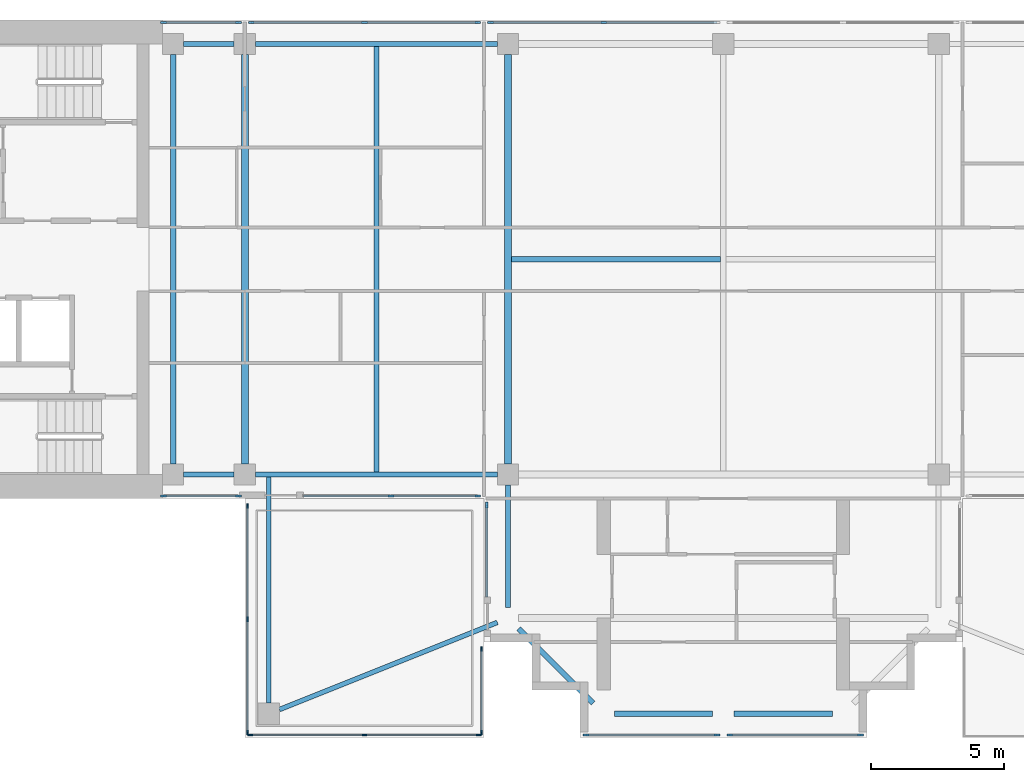
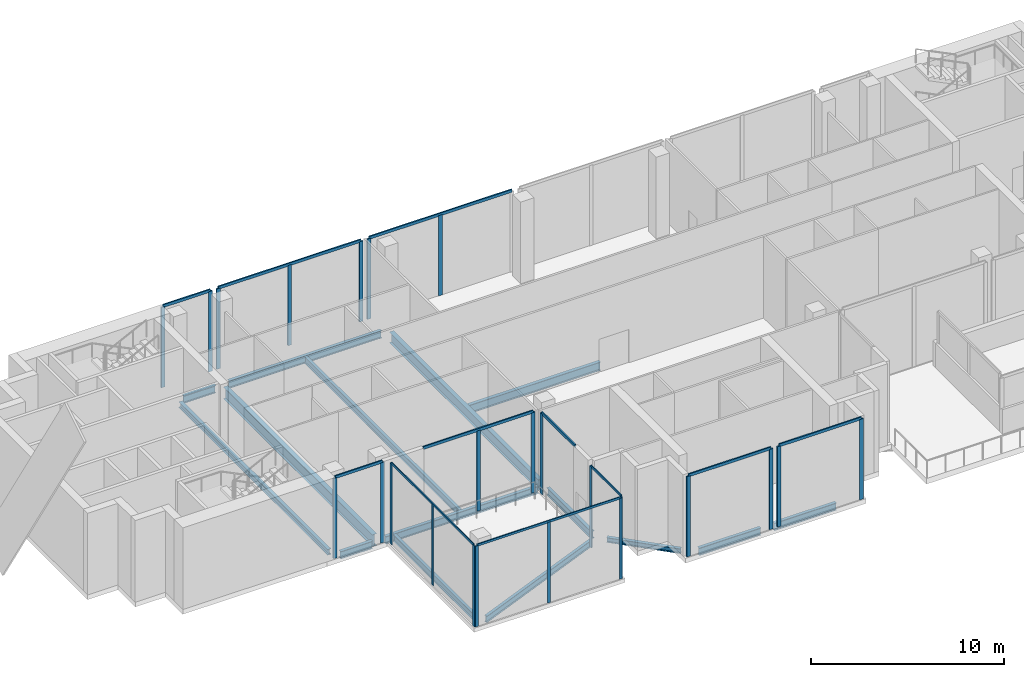
# One storey, part 2 of 14: 35 members, 15 beams, 11 elements without a shape of their own.
"""IFC4 building model written with IfcOpenShell, lengths in metres."""

from ifc_helpers import new_model, si_unit, direction, frame, origin, origin_2d, place, context, subcontext, project, spatial, rectangle, i_section, extrude, material, material_profile, profile_set, type_object, element, aggregate, save


model = new_model("IFC4")

# Units and contexts
model_context = context("Model", 3, precision=1e-05, world=origin(), true_north=direction((0.0, 1.0)))
body_context = subcontext(model_context, "Body", "Model", "MODEL_VIEW")
ifc_project = project(units=[si_unit("LENGTHUNIT", "METRE"), si_unit("AREAUNIT", "SQUARE_METRE"), si_unit("VOLUMEUNIT", "CUBIC_METRE"), si_unit("PLANEANGLEUNIT", "RADIAN"), si_unit("MASSUNIT", "GRAM", prefix="KILO")], contexts=[model_context])

# Site, building, storey
site_placement = place(None, origin())
site = spatial("IfcSite", under=ifc_project, at=site_placement, CompositionType="ELEMENT")
building_placement = place(site_placement, origin())
building = spatial("IfcBuilding", under=site, at=building_placement, Name="Perihelion Cross Residences", CompositionType="ELEMENT")
storey_placement = place(building_placement, frame((0.0, 0.0, 285.0)))
storey = spatial("IfcBuildingStorey", under=building, at=storey_placement, Name="L73", CompositionType="ELEMENT", Elevation=285.0)

# Curtain wall, members
ifc_material_1 = material(Name="Bronze anodised aluminium, tinted glazing", Category="aluminium")
curtain_wall_type_1 = type_object("IfcCurtainWallType", Name="CW3", PredefinedType="NOTDEFINED", material=ifc_material_1)
curtain_wall_1_placement = place(storey_placement, origin())
curtain_wall_1 = element("IfcCurtainWall", 1, at=curtain_wall_1_placement, inside=storey, type_object=curtain_wall_type_1, Name="Curtain wall CW3 L73 north side east bay 2", PredefinedType="NOTDEFINED")
ifc_material_2 = material(Name="Bronze anodised aluminium", Category="aluminium")
ifc_material_profile_1 = material_profile(ifc_material_2, rectangle(XDim=0.080078125, YDim=0.219970703125, at=origin_2d()), Name="CW3 mullion")
ifc_profile_set_1 = profile_set([ifc_material_profile_1], Name="Bronze anodised aluminium")
member_type_1 = type_object("IfcMemberType", Name="CW3 mullion", PredefinedType="MULLION", material=ifc_profile_set_1)
member_1_placement = place(storey_placement, frame((-4.5, 8.89990234375, 0.0), z_axis=(0.0, 0.0, 1.0), x_axis=(0.0, -1.0, 0.0)))
member_1 = element("IfcMember", 2, at=member_1_placement, type_object=member_type_1, Name="CW3 mullion 2", PredefinedType="MULLION", context=body_context, shape_type="SweptSolid", body=[
    extrude(rectangle(XDim=0.080078125, YDim=0.219970703125, at=origin_2d()), origin(), (0.0, 0.0, 1.0), 5.070068359375),
])
member_2_placement = place(storey_placement, frame((-8.760009765625, 8.89990234375, 0.0), z_axis=(0.0, 0.0, 1.0), x_axis=(0.0, -1.0, 0.0)))
member_2 = element("IfcMember", 3, at=member_2_placement, type_object=member_type_1, Name="CW3 mullion 3", PredefinedType="MULLION", context=body_context, shape_type="SweptSolid", body=[
    extrude(rectangle(XDim=0.080078125, YDim=0.219970703125, at=origin_2d()), origin(), (0.0, 0.0, 1.0), 5.070068359375),
])

curtain_wall_2_placement = place(storey_placement, origin())
curtain_wall_2 = element("IfcCurtainWall", 4, at=curtain_wall_2_placement, inside=storey, type_object=curtain_wall_type_1, Name="Curtain wall CW3 L73 west side north bay 1", PredefinedType="NOTDEFINED")
member_3_placement = place(storey_placement, frame((-9.239990234375, 8.89990234375, 0.0), z_axis=(0.0, 0.0, 1.0), x_axis=(0.0, -1.0, 0.0)))
member_3 = element("IfcMember", 5, at=member_3_placement, type_object=member_type_1, Name="CW3 mullion 1", PredefinedType="MULLION", context=body_context, shape_type="SweptSolid", body=[
    extrude(rectangle(XDim=0.080078125, YDim=0.219970703125, at=origin_2d()), origin(), (0.0, 0.0, 1.0), 5.070068359375),
])
member_4_placement = place(storey_placement, frame((-13.5, 8.89990234375, 0.0), z_axis=(0.0, 0.0, 1.0), x_axis=(0.0, -1.0, 0.0)))
member_4 = element("IfcMember", 6, at=member_4_placement, type_object=member_type_1, Name="CW3 mullion 2", PredefinedType="MULLION", context=body_context, shape_type="SweptSolid", body=[
    extrude(rectangle(XDim=0.080078125, YDim=0.219970703125, at=origin_2d()), origin(), (0.0, 0.0, 1.0), 5.070068359375),
])
member_5_placement = place(storey_placement, frame((-17.760009765625, 8.89990234375, 0.0), z_axis=(0.0, 0.0, 1.0), x_axis=(0.0, -1.0, 0.0)))
member_5 = element("IfcMember", 7, at=member_5_placement, type_object=member_type_1, Name="CW3 mullion 3", PredefinedType="MULLION", context=body_context, shape_type="SweptSolid", body=[
    extrude(rectangle(XDim=0.080078125, YDim=0.219970703125, at=origin_2d()), origin(), (0.0, 0.0, 1.0), 5.070068359375),
])

curtain_wall_3_placement = place(storey_placement, origin())
curtain_wall_3 = element("IfcCurtainWall", 8, at=curtain_wall_3_placement, inside=storey, type_object=curtain_wall_type_1, Name="Curtain wall CW3 L73 west side north bay 2", PredefinedType="NOTDEFINED")
member_6_placement = place(storey_placement, frame((-18.239990234375, 8.89990234375, 0.0), z_axis=(0.0, 0.0, 1.0), x_axis=(0.0, -1.0, 0.0)))
member_6 = element("IfcMember", 9, at=member_6_placement, type_object=member_type_1, Name="CW3 mullion 1", PredefinedType="MULLION", context=body_context, shape_type="SweptSolid", body=[
    extrude(rectangle(XDim=0.080078125, YDim=0.219970703125, at=origin_2d()), origin(), (0.0, 0.0, 1.0), 5.070068359375),
])
member_7_placement = place(storey_placement, frame((-21.06005859375, 8.89990234375, 0.0), z_axis=(0.0, 0.0, 1.0), x_axis=(0.0, -1.0, 0.0)))
member_7 = element("IfcMember", 10, at=member_7_placement, type_object=member_type_1, Name="CW3 mullion 2", PredefinedType="MULLION", context=body_context, shape_type="SweptSolid", body=[
    extrude(rectangle(XDim=0.080078125, YDim=0.219970703125, at=origin_2d()), origin(), (0.0, 0.0, 1.0), 5.070068359375),
])

curtain_wall_4_placement = place(storey_placement, origin())
curtain_wall_4 = element("IfcCurtainWall", 11, at=curtain_wall_4_placement, inside=storey, type_object=curtain_wall_type_1, Name="Curtain wall CW3 L73 west side south bay 1", PredefinedType="NOTDEFINED")
member_8_placement = place(storey_placement, frame((-21.06005859375, -8.89990234375, 0.0), z_axis=(0.0, 0.0, 1.0), x_axis=(0.0, 1.0, 0.0)))
member_8 = element("IfcMember", 12, at=member_8_placement, type_object=member_type_1, Name="CW3 mullion 1", PredefinedType="MULLION", context=body_context, shape_type="SweptSolid", body=[
    extrude(rectangle(XDim=0.080078125, YDim=0.219970703125, at=origin_2d()), origin(), (0.0, 0.0, 1.0), 5.070068359375),
])
member_9_placement = place(storey_placement, frame((-18.239990234375, -8.89990234375, 0.0), z_axis=(0.0, 0.0, 1.0), x_axis=(0.0, 1.0, 0.0)))
member_9 = element("IfcMember", 13, at=member_9_placement, type_object=member_type_1, Name="CW3 mullion 2", PredefinedType="MULLION", context=body_context, shape_type="SweptSolid", body=[
    extrude(rectangle(XDim=0.080078125, YDim=0.219970703125, at=origin_2d()), origin(), (0.0, 0.0, 1.0), 5.070068359375),
])

curtain_wall_5_placement = place(storey_placement, origin())
curtain_wall_5 = element("IfcCurtainWall", 14, at=curtain_wall_5_placement, inside=storey, type_object=curtain_wall_type_1, Name="Curtain wall CW3 L73 west side south bay 2", PredefinedType="NOTDEFINED")
member_10_placement = place(storey_placement, frame((-12.5, -8.89990234375, 0.0), z_axis=(0.0, 0.0, 1.0), x_axis=(0.0, 1.0, 0.0)))
member_10 = element("IfcMember", 15, at=member_10_placement, type_object=member_type_1, Name="CW3 mullion 2", PredefinedType="MULLION", context=body_context, shape_type="SweptSolid", body=[
    extrude(rectangle(XDim=0.080078125, YDim=0.219970703125, at=origin_2d()), origin(), (0.0, 0.0, 1.0), 5.070068359375),
])
member_11_placement = place(storey_placement, frame((-9.239990234375, -8.89990234375, 0.0), z_axis=(0.0, 0.0, 1.0), x_axis=(0.0, 1.0, 0.0)))
member_11 = element("IfcMember", 16, at=member_11_placement, type_object=member_type_1, Name="CW3 mullion 3", PredefinedType="MULLION", context=body_context, shape_type="SweptSolid", body=[
    extrude(rectangle(XDim=0.080078125, YDim=0.219970703125, at=origin_2d()), origin(), (0.0, 0.0, 1.0), 5.070068359375),
])

# Curtain wall, member
curtain_wall_6_placement = place(storey_placement, origin())
curtain_wall_6 = element("IfcCurtainWall", 17, at=curtain_wall_6_placement, inside=storey, type_object=curtain_wall_type_1, Name="Curtain wall CW3 L73 south side west bay 1", PredefinedType="NOTDEFINED")
member_12_placement = place(storey_placement, frame((-8.89990234375, -9.239990234375, 0.0), z_axis=(0.0, 0.0, 1.0), x_axis=(1.0, 0.0, 0.0)))
member_12 = element("IfcMember", 18, at=member_12_placement, type_object=member_type_1, Name="CW3 mullion 1", PredefinedType="MULLION", context=body_context, shape_type="SweptSolid", body=[
    extrude(rectangle(XDim=0.080078125, YDim=0.219970703125, at=origin_2d()), origin(), (0.0, 0.0, 1.0), 5.070068359375),
])

# Curtain wall, members
curtain_wall_7_placement = place(storey_placement, origin())
curtain_wall_7 = element("IfcCurtainWall", 19, at=curtain_wall_7_placement, inside=storey, type_object=curtain_wall_type_1, Name="Curtain wall CW3 L73 south tip south bay 1", PredefinedType="NOTDEFINED")
member_13_placement = place(storey_placement, frame((-5.159912109375, -17.89990234375, 0.0), z_axis=(0.0, 0.0, 1.0), x_axis=(0.0, 1.0, 0.0)))
member_13 = element("IfcMember", 20, at=member_13_placement, type_object=member_type_1, Name="CW3 mullion 1", PredefinedType="MULLION", context=body_context, shape_type="SweptSolid", body=[
    extrude(rectangle(XDim=0.080078125, YDim=0.219970703125, at=origin_2d()), origin(), (0.0, 0.0, 1.0), 5.070068359375),
])
member_14_placement = place(storey_placement, frame((-0.239990234375, -17.89990234375, 0.0), z_axis=(0.0, 0.0, 1.0), x_axis=(0.0, 1.0, 0.0)))
member_14 = element("IfcMember", 21, at=member_14_placement, type_object=member_type_1, Name="CW3 mullion 2", PredefinedType="MULLION", context=body_context, shape_type="SweptSolid", body=[
    extrude(rectangle(XDim=0.080078125, YDim=0.219970703125, at=origin_2d()), origin(), (0.0, 0.0, 1.0), 5.070068359375),
])

curtain_wall_8_placement = place(storey_placement, origin())
curtain_wall_8 = element("IfcCurtainWall", 22, at=curtain_wall_8_placement, inside=storey, type_object=curtain_wall_type_1, Name="Curtain wall CW3 L73 south tip south bay 2", PredefinedType="NOTDEFINED")
member_15_placement = place(storey_placement, frame((0.239990234375, -17.89990234375, 0.0), z_axis=(0.0, 0.0, 1.0), x_axis=(0.0, 1.0, 0.0)))
member_15 = element("IfcMember", 23, at=member_15_placement, type_object=member_type_1, Name="CW3 mullion 1", PredefinedType="MULLION", context=body_context, shape_type="SweptSolid", body=[
    extrude(rectangle(XDim=0.080078125, YDim=0.219970703125, at=origin_2d()), origin(), (0.0, 0.0, 1.0), 5.070068359375),
])
member_16_placement = place(storey_placement, frame((5.159912109375, -17.89990234375, 0.0), z_axis=(0.0, 0.0, 1.0), x_axis=(0.0, 1.0, 0.0)))
member_16 = element("IfcMember", 24, at=member_16_placement, type_object=member_type_1, Name="CW3 mullion 2", PredefinedType="MULLION", context=body_context, shape_type="SweptSolid", body=[
    extrude(rectangle(XDim=0.080078125, YDim=0.219970703125, at=origin_2d()), origin(), (0.0, 0.0, 1.0), 5.070068359375),
])

# Member
ifc_material_3 = material(Name="Bronze anodised aluminium", Category="aluminium")
ifc_material_profile_2 = material_profile(ifc_material_3, rectangle(XDim=0.080078125, YDim=0.179931640625, at=origin_2d()), Name="CW3 transom")
ifc_profile_set_2 = profile_set([ifc_material_profile_2], Name="Bronze anodised aluminium")
member_type_2 = type_object("IfcMemberType", Name="CW3 transom", PredefinedType="USERDEFINED", material=ifc_profile_set_2)
member_17_placement = place(storey_placement, frame((-0.239990234375, 8.89990234375, 5.110107421875), z_axis=(-1.0, 0.0, 0.0), x_axis=(0.0, -1.0, 0.0)))
member_17 = element("IfcMember", 25, at=member_17_placement, type_object=member_type_2, Name="CW3 head transom", ObjectType="TRANSOM", PredefinedType="USERDEFINED", context=body_context, shape_type="SweptSolid", body=[
    extrude(rectangle(XDim=0.080078125, YDim=0.179931640625, at=origin_2d()), origin(), (0.0, 0.0, 1.0), 8.52001953125),
])

aggregate(curtain_wall_1, [member_1, member_2, member_17])

member_18_placement = place(storey_placement, frame((-9.239990234375, 8.89990234375, 5.110107421875), z_axis=(-1.0, 0.0, 0.0), x_axis=(0.0, -1.0, 0.0)))
member_18 = element("IfcMember", 26, at=member_18_placement, type_object=member_type_2, Name="CW3 head transom", ObjectType="TRANSOM", PredefinedType="USERDEFINED", context=body_context, shape_type="SweptSolid", body=[
    extrude(rectangle(XDim=0.080078125, YDim=0.179931640625, at=origin_2d()), origin(), (0.0, 0.0, 1.0), 8.52001953125),
])

aggregate(curtain_wall_2, [member_3, member_4, member_5, member_18])

member_19_placement = place(storey_placement, frame((-18.239990234375, 8.89990234375, 5.110107421875), z_axis=(-1.0, 0.0, 0.0), x_axis=(0.0, -1.0, 0.0)))
member_19 = element("IfcMember", 27, at=member_19_placement, type_object=member_type_2, Name="CW3 head transom", ObjectType="TRANSOM", PredefinedType="USERDEFINED", context=body_context, shape_type="SweptSolid", body=[
    extrude(rectangle(XDim=0.080078125, YDim=0.179931640625, at=origin_2d()), origin(), (0.0, 0.0, 1.0), 2.820068359375),
])

aggregate(curtain_wall_3, [member_6, member_7, member_19])

member_20_placement = place(storey_placement, frame((-21.06005859375, -8.89990234375, 5.110107421875), z_axis=(1.0, 0.0, 0.0), x_axis=(0.0, 1.0, 0.0)))
member_20 = element("IfcMember", 28, at=member_20_placement, type_object=member_type_2, Name="CW3 head transom", ObjectType="TRANSOM", PredefinedType="USERDEFINED", context=body_context, shape_type="SweptSolid", body=[
    extrude(rectangle(XDim=0.080078125, YDim=0.179931640625, at=origin_2d()), origin(), (0.0, 0.0, 1.0), 2.820068359375),
])

aggregate(curtain_wall_4, [member_8, member_9, member_20])

member_21_placement = place(storey_placement, frame((-15.800048828125, -8.89990234375, 5.110107421875), z_axis=(1.0, 0.0, 0.0), x_axis=(0.0, 1.0, 0.0)))
member_21 = element("IfcMember", 29, at=member_21_placement, type_object=member_type_2, Name="CW3 head transom", ObjectType="TRANSOM", PredefinedType="USERDEFINED", context=body_context, shape_type="SweptSolid", body=[
    extrude(rectangle(XDim=0.080078125, YDim=0.179931640625, at=origin_2d()), origin(), (0.0, 0.0, 1.0), 6.56005859375),
])

aggregate(curtain_wall_5, [member_10, member_11, member_21])

member_22_placement = place(storey_placement, frame((-8.89990234375, -9.239990234375, 5.110107421875), z_axis=(0.0, -1.0, 0.0), x_axis=(1.0, 0.0, 0.0)))
member_22 = element("IfcMember", 30, at=member_22_placement, type_object=member_type_2, Name="CW3 head transom", ObjectType="TRANSOM", PredefinedType="USERDEFINED", context=body_context, shape_type="SweptSolid", body=[
    extrude(rectangle(XDim=0.080078125, YDim=0.179931640625, at=origin_2d()), origin(), (0.0, 0.0, 1.0), 3.4599609375),
])

aggregate(curtain_wall_6, [member_12, member_22])

member_23_placement = place(storey_placement, frame((-5.159912109375, -17.89990234375, 5.110107421875), z_axis=(1.0, 0.0, 0.0), x_axis=(0.0, 1.0, 0.0)))
member_23 = element("IfcMember", 31, at=member_23_placement, type_object=member_type_2, Name="CW3 head transom", ObjectType="TRANSOM", PredefinedType="USERDEFINED", context=body_context, shape_type="SweptSolid", body=[
    extrude(rectangle(XDim=0.080078125, YDim=0.179931640625, at=origin_2d()), origin(), (0.0, 0.0, 1.0), 4.919921875),
])

aggregate(curtain_wall_7, [member_13, member_14, member_23])

member_24_placement = place(storey_placement, frame((0.239990234375, -17.89990234375, 5.110107421875), z_axis=(1.0, 0.0, 0.0), x_axis=(0.0, 1.0, 0.0)))
member_24 = element("IfcMember", 32, at=member_24_placement, type_object=member_type_2, Name="CW3 head transom", ObjectType="TRANSOM", PredefinedType="USERDEFINED", context=body_context, shape_type="SweptSolid", body=[
    extrude(rectangle(XDim=0.080078125, YDim=0.179931640625, at=origin_2d()), origin(), (0.0, 0.0, 1.0), 4.919921875),
])

aggregate(curtain_wall_8, [member_15, member_16, member_24])

# Curtain wall, members
ifc_material_4 = material(Name="Bronze anodised aluminium, tinted glazing", Category="aluminium")
curtain_wall_type_2 = type_object("IfcCurtainWallType", Name="CW4", PredefinedType="NOTDEFINED", material=ifc_material_4)
curtain_wall_9_placement = place(storey_placement, origin())
curtain_wall_9 = element("IfcCurtainWall", 33, at=curtain_wall_9_placement, inside=storey, type_object=curtain_wall_type_2, Name="Curtain wall CW4 L73 pocket south-west 1 1", PredefinedType="NOTDEFINED")
ifc_material_5 = material(Name="Bronze anodised aluminium", Category="aluminium")
ifc_material_profile_3 = material_profile(ifc_material_5, rectangle(XDim=0.06005859375, YDim=0.179931640625, at=origin_2d()), Name="CW4 mullion")
ifc_profile_set_3 = profile_set([ifc_material_profile_3], Name="Bronze anodised aluminium")
member_type_3 = type_object("IfcMemberType", Name="CW4 mullion", PredefinedType="MULLION", material=ifc_profile_set_3)
member_25_placement = place(storey_placement, frame((-9.10009765625, -14.658935546875, 0.0), z_axis=(0.0, 0.0, 1.0), x_axis=(1.0, 0.0, 0.0)))
member_25 = element("IfcMember", 34, at=member_25_placement, type_object=member_type_3, Name="CW4 mullion 1", PredefinedType="MULLION", context=body_context, shape_type="SweptSolid", body=[
    extrude(rectangle(XDim=0.06005859375, YDim=0.179931640625, at=origin_2d()), origin(), (0.0, 0.0, 1.0), 5.090087890625),
])
member_26_placement = place(storey_placement, frame((-9.10009765625, -17.800048828125, 0.0), z_axis=(0.0, 0.0, 1.0), x_axis=(1.0, 0.0, 0.0)))
member_26 = element("IfcMember", 35, at=member_26_placement, type_object=member_type_3, Name="CW4 mullion 2", PredefinedType="MULLION", context=body_context, shape_type="SweptSolid", body=[
    extrude(rectangle(XDim=0.06005859375, YDim=0.179931640625, at=origin_2d()), origin(), (0.0, 0.0, 1.0), 5.090087890625),
])

curtain_wall_10_placement = place(storey_placement, origin())
curtain_wall_10 = element("IfcCurtainWall", 36, at=curtain_wall_10_placement, inside=storey, type_object=curtain_wall_type_2, Name="Curtain wall CW4 L73 pocket south-west 1 2", PredefinedType="NOTDEFINED")
member_27_placement = place(storey_placement, frame((-9.199951171875, -17.89990234375, 0.0), z_axis=(0.0, 0.0, 1.0), x_axis=(0.0, -1.0, 0.0)))
member_27 = element("IfcMember", 37, at=member_27_placement, type_object=member_type_3, Name="CW4 mullion 1", PredefinedType="MULLION", context=body_context, shape_type="SweptSolid", body=[
    extrude(rectangle(XDim=0.06005859375, YDim=0.179931640625, at=origin_2d()), origin(), (0.0, 0.0, 1.0), 5.090087890625),
])
member_28_placement = place(storey_placement, frame((-13.5, -17.89990234375, 0.0), z_axis=(0.0, 0.0, 1.0), x_axis=(0.0, -1.0, 0.0)))
member_28 = element("IfcMember", 38, at=member_28_placement, type_object=member_type_3, Name="CW4 mullion 2", PredefinedType="MULLION", context=body_context, shape_type="SweptSolid", body=[
    extrude(rectangle(XDim=0.06005859375, YDim=0.179931640625, at=origin_2d()), origin(), (0.0, 0.0, 1.0), 5.090087890625),
])
member_29_placement = place(storey_placement, frame((-17.800048828125, -17.89990234375, 0.0), z_axis=(0.0, 0.0, 1.0), x_axis=(0.0, -1.0, 0.0)))
member_29 = element("IfcMember", 39, at=member_29_placement, type_object=member_type_3, Name="CW4 mullion 3", PredefinedType="MULLION", context=body_context, shape_type="SweptSolid", body=[
    extrude(rectangle(XDim=0.06005859375, YDim=0.179931640625, at=origin_2d()), origin(), (0.0, 0.0, 1.0), 5.090087890625),
])

curtain_wall_11_placement = place(storey_placement, origin())
curtain_wall_11 = element("IfcCurtainWall", 40, at=curtain_wall_11_placement, inside=storey, type_object=curtain_wall_type_2, Name="Curtain wall CW4 L73 pocket south-west 1 3", PredefinedType="NOTDEFINED")
member_30_placement = place(storey_placement, frame((-17.89990234375, -17.800048828125, 0.0), z_axis=(0.0, 0.0, 1.0), x_axis=(-1.0, 0.0, 0.0)))
member_30 = element("IfcMember", 41, at=member_30_placement, type_object=member_type_3, Name="CW4 mullion 1", PredefinedType="MULLION", context=body_context, shape_type="SweptSolid", body=[
    extrude(rectangle(XDim=0.06005859375, YDim=0.179931640625, at=origin_2d()), origin(), (0.0, 0.0, 1.0), 5.090087890625),
])
member_31_placement = place(storey_placement, frame((-17.89990234375, -13.5400390625, 0.0), z_axis=(0.0, 0.0, 1.0), x_axis=(-1.0, 0.0, 0.0)))
member_31 = element("IfcMember", 42, at=member_31_placement, type_object=member_type_3, Name="CW4 mullion 2", PredefinedType="MULLION", context=body_context, shape_type="SweptSolid", body=[
    extrude(rectangle(XDim=0.06005859375, YDim=0.179931640625, at=origin_2d()), origin(), (0.0, 0.0, 1.0), 5.090087890625),
])
member_32_placement = place(storey_placement, frame((-17.89990234375, -9.280029296875, 0.0), z_axis=(0.0, 0.0, 1.0), x_axis=(-1.0, 0.0, 0.0)))
member_32 = element("IfcMember", 43, at=member_32_placement, type_object=member_type_3, Name="CW4 mullion 3", PredefinedType="MULLION", context=body_context, shape_type="SweptSolid", body=[
    extrude(rectangle(XDim=0.06005859375, YDim=0.179931640625, at=origin_2d()), origin(), (0.0, 0.0, 1.0), 5.090087890625),
])

# Member
ifc_material_6 = material(Name="Bronze anodised aluminium", Category="aluminium")
ifc_material_profile_4 = material_profile(ifc_material_6, rectangle(XDim=0.06005859375, YDim=0.139892578125, at=origin_2d()), Name="CW4 transom")
ifc_profile_set_4 = profile_set([ifc_material_profile_4], Name="Bronze anodised aluminium")
member_type_4 = type_object("IfcMemberType", Name="CW4 transom", PredefinedType="USERDEFINED", material=ifc_profile_set_4)
member_33_placement = place(storey_placement, frame((-9.10009765625, -14.658935546875, 5.1201171875), z_axis=(0.0, -1.0, 0.0), x_axis=(1.0, 0.0, 0.0)))
member_33 = element("IfcMember", 44, at=member_33_placement, type_object=member_type_4, Name="CW4 head transom", ObjectType="TRANSOM", PredefinedType="USERDEFINED", context=body_context, shape_type="SweptSolid", body=[
    extrude(rectangle(XDim=0.06005859375, YDim=0.139892578125, at=origin_2d()), origin(), (0.0, 0.0, 1.0), 3.14111328125),
])

aggregate(curtain_wall_9, [member_25, member_26, member_33])

member_34_placement = place(storey_placement, frame((-9.199951171875, -17.89990234375, 5.1201171875), z_axis=(-1.0, 0.0, 0.0), x_axis=(0.0, -1.0, 0.0)))
member_34 = element("IfcMember", 45, at=member_34_placement, type_object=member_type_4, Name="CW4 head transom", ObjectType="TRANSOM", PredefinedType="USERDEFINED", context=body_context, shape_type="SweptSolid", body=[
    extrude(rectangle(XDim=0.06005859375, YDim=0.139892578125, at=origin_2d()), origin(), (0.0, 0.0, 1.0), 8.60009765625),
])

aggregate(curtain_wall_10, [member_27, member_28, member_29, member_34])

member_35_placement = place(storey_placement, frame((-17.89990234375, -17.800048828125, 5.1201171875), z_axis=(0.0, 1.0, 0.0), x_axis=(-1.0, 0.0, 0.0)))
member_35 = element("IfcMember", 46, at=member_35_placement, type_object=member_type_4, Name="CW4 head transom", ObjectType="TRANSOM", PredefinedType="USERDEFINED", context=body_context, shape_type="SweptSolid", body=[
    extrude(rectangle(XDim=0.06005859375, YDim=0.139892578125, at=origin_2d()), origin(), (0.0, 0.0, 1.0), 8.52001953125),
])

aggregate(curtain_wall_11, [member_30, member_31, member_32, member_35])

# Beams
ifc_material_7 = material(Name="Steel S355", Category="steel")
ifc_material_profile_5 = material_profile(ifc_material_7, i_section(OverallWidth=0.205078125, OverallDepth=0.35302734375, WebThickness=0.009521484375, FlangeThickness=0.016845703125, at=origin_2d()), Name="W360x79")
ifc_profile_set_5 = profile_set([ifc_material_profile_5], Name="Steel S355")
beam_type_1 = type_object("IfcBeamType", Name="Core edge beam W360x79", PredefinedType="BEAM", material=ifc_profile_set_5)
beam_1_placement = place(storey_placement, frame((-20.699951171875, -7.699951171875, -0.4765625), z_axis=(0.0, 1.0, 0.0), x_axis=(-1.0, 0.0, 0.0)))
element("IfcBeam", 47, at=beam_1_placement, inside=storey, type_object=beam_type_1, Name="Core edge beam TB7 L73 no. 1", PredefinedType="BEAM", context=body_context, shape_type="SweptSolid", body=[
    extrude(i_section(OverallWidth=0.205078125, OverallDepth=0.35302734375, WebThickness=0.009521484375, FlangeThickness=0.016845703125, at=origin_2d()), origin(), (0.0, 0.0, 1.0), 15.39990234375),
])
ifc_material_8 = material(Name="Steel S355", Category="steel")
ifc_material_profile_6 = material_profile(ifc_material_8, i_section(OverallWidth=0.177978515625, OverallDepth=0.406005859375, WebThickness=0.0078125, FlangeThickness=0.0126953125, at=origin_2d()), Name="W410x60")
ifc_profile_set_6 = profile_set([ifc_material_profile_6], Name="Steel S355")
beam_type_2 = type_object("IfcBeamType", Name="Core edge beam W410x60", PredefinedType="BEAM", material=ifc_profile_set_6)
beam_2_placement = place(storey_placement, frame((-17.10009765625, -8.197021484375, -0.5029296875), z_axis=(0.0, -1.0, 0.0), x_axis=(1.0, 0.0, 0.0)))
element("IfcBeam", 48, at=beam_2_placement, inside=storey, type_object=beam_type_2, Name="Core edge beam TB2 L73 corner no. 1", PredefinedType="BEAM", context=body_context, shape_type="SweptSolid", body=[
    extrude(i_section(OverallWidth=0.177978515625, OverallDepth=0.406005859375, WebThickness=0.0078125, FlangeThickness=0.0126953125, at=origin_2d()), origin(), (0.0, 0.0, 1.0), 8.5029296875),
])
beam_3_placement = place(storey_placement, frame((-8.5, -13.659912109375, -0.5029296875), z_axis=(-0.928474784399, -0.371395442534, 0.0), x_axis=(0.371395442534, -0.928474784399, 0.0)))
element("IfcBeam", 49, at=beam_3_placement, inside=storey, type_object=beam_type_2, Name="Core edge beam TB2 L73 corner no. 2", PredefinedType="BEAM", context=body_context, shape_type="SweptSolid", body=[
    extrude(i_section(OverallWidth=0.177978515625, OverallDepth=0.406005859375, WebThickness=0.0078125, FlangeThickness=0.0126953125, at=origin_2d()), origin(), (0.0, 0.0, 1.0), 8.83154296875),
])
ifc_material_9 = material(Name="Steel S355", Category="steel")
ifc_material_profile_7 = material_profile(ifc_material_9, i_section(OverallWidth=0.194091796875, OverallDepth=0.469970703125, WebThickness=0.0126953125, FlangeThickness=0.0205078125, at=origin_2d()), Name="W460x106")
ifc_profile_set_7 = profile_set([ifc_material_profile_7], Name="Steel S355")
beam_type_3 = type_object("IfcBeamType", Name="Edge beam W460x106", PredefinedType="SPANDREL", material=ifc_profile_set_7)
beam_4_placement = place(storey_placement, frame((-8.5, 8.10009765625, -0.534912109375), z_axis=(-1.0, 0.0, 0.0), x_axis=(0.0, -1.0, 0.0)))
element("IfcBeam", 50, at=beam_4_placement, inside=storey, type_object=beam_type_3, Name="Edge beam SB5 L73 no. 6", PredefinedType="SPANDREL", context=body_context, shape_type="SweptSolid", body=[
    extrude(i_section(OverallWidth=0.194091796875, OverallDepth=0.469970703125, WebThickness=0.0126953125, FlangeThickness=0.0205078125, at=origin_2d()), origin(), (0.0, 0.0, 1.0), 9.10009765625),
])
for number, where, z_axis, x_axis, name in (
    (51, (-18.39990234375, 8.10009765625, -0.534912109375), (-1.0, 0.0, 0.0), (0.0, -1.0, 0.0), "Edge beam SB5 L73 no. 2"),
    (52, (-20.300048828125, -8.10009765625, -0.534912109375), (1.0, 0.0, 0.0), (0.0, 1.0, 0.0), "Edge beam SB5 L73 no. 3"),
):
    element("IfcBeam", number, at=place(storey_placement, frame(where, z_axis=z_axis, x_axis=x_axis)), inside=storey, type_object=beam_type_3, Name=name, PredefinedType="SPANDREL", context=body_context, shape_type="SweptSolid", body=[
        extrude(i_section(OverallWidth=0.194091796875, OverallDepth=0.469970703125, WebThickness=0.0126953125, FlangeThickness=0.0205078125, at=origin_2d()), origin(), (0.0, 0.0, 1.0), 1.900146484375),
    ])
beam_5_placement = place(storey_placement, frame((-17.60009765625, -8.10009765625, -0.534912109375), z_axis=(1.0, 0.0, 0.0), x_axis=(0.0, 1.0, 0.0)))
element("IfcBeam", 53, at=beam_5_placement, inside=storey, type_object=beam_type_3, Name="Edge beam SB5 L73 no. 1", PredefinedType="SPANDREL", context=body_context, shape_type="SweptSolid", body=[
    extrude(i_section(OverallWidth=0.194091796875, OverallDepth=0.469970703125, WebThickness=0.0126953125, FlangeThickness=0.0205078125, at=origin_2d()), origin(), (0.0, 0.0, 1.0), 9.10009765625),
])
beam_6_placement = place(storey_placement, frame((-8.10009765625, -8.5, -0.534912109375), z_axis=(0.0, -1.0, 0.0), x_axis=(1.0, 0.0, 0.0)))
element("IfcBeam", 54, at=beam_6_placement, inside=storey, type_object=beam_type_3, Name="Edge beam SB5 L73 no. 5", PredefinedType="SPANDREL", context=body_context, shape_type="SweptSolid", body=[
    extrude(i_section(OverallWidth=0.194091796875, OverallDepth=0.469970703125, WebThickness=0.0126953125, FlangeThickness=0.0205078125, at=origin_2d()), origin(), (0.0, 0.0, 1.0), 4.60009765625),
])
for number, where, z_axis, x_axis, name in (
    (55, (-4.10009765625, -17.10009765625, -0.534912109375), (1.0, 0.0, 0.0), (0.0, 1.0, 0.0), "Edge beam SB5 L73 no. 4"),
    (56, (0.39990234375, -17.10009765625, -0.534912109375), (1.0, 0.0, 0.0), (0.0, 1.0, 0.0), "Edge beam SB5 L73 no. 7"),
):
    element("IfcBeam", number, at=place(storey_placement, frame(where, z_axis=z_axis, x_axis=x_axis)), inside=storey, type_object=beam_type_3, Name=name, PredefinedType="SPANDREL", context=body_context, shape_type="SweptSolid", body=[
        extrude(i_section(OverallWidth=0.194091796875, OverallDepth=0.469970703125, WebThickness=0.0126953125, FlangeThickness=0.0205078125, at=origin_2d()), origin(), (0.0, 0.0, 1.0), 3.7001953125),
    ])
ifc_material_10 = material(Name="Steel S355", Category="steel")
ifc_material_profile_8 = material_profile(ifc_material_10, i_section(OverallWidth=0.26708984375, OverallDepth=0.75390625, WebThickness=0.01318359375, FlangeThickness=0.01708984375, at=origin_2d()), Name="W760x147")
ifc_profile_set_8 = profile_set([ifc_material_profile_8], Name="Steel S355")
beam_type_4 = type_object("IfcBeamType", Name="Floor girder W760x147", PredefinedType="BEAM", material=ifc_profile_set_8)
beam_7_placement = place(storey_placement, frame((-18.0, -7.699951171875, -0.677001953125), z_axis=(0.0, 1.0, 0.0), x_axis=(-1.0, 0.0, 0.0)))
element("IfcBeam", 57, at=beam_7_placement, inside=storey, type_object=beam_type_4, Name="Girder G5 L73 no. 1", PredefinedType="BEAM", context=body_context, shape_type="SweptSolid", body=[
    extrude(i_section(OverallWidth=0.26708984375, OverallDepth=0.75390625, WebThickness=0.01318359375, FlangeThickness=0.01708984375, at=origin_2d()), origin(), (0.0, 0.0, 1.0), 15.39990234375),
])
ifc_material_11 = material(Name="Steel S355", Category="steel")
ifc_material_profile_9 = material_profile(ifc_material_11, i_section(OverallWidth=0.177978515625, OverallDepth=0.406005859375, WebThickness=0.0078125, FlangeThickness=0.0126953125, at=origin_2d()), Name="W410x60")
ifc_profile_set_9 = profile_set([ifc_material_profile_9], Name="Steel S355")
beam_type_5 = type_object("IfcBeamType", Name="Floor joist W410x60", PredefinedType="JOIST", material=ifc_profile_set_9)
beam_8_placement = place(storey_placement, frame((-13.050048828125, -8.0029296875, -0.5029296875), z_axis=(0.0, 1.0, 0.0), x_axis=(-1.0, 0.0, 0.0)))
element("IfcBeam", 58, at=beam_8_placement, inside=storey, type_object=beam_type_5, Name="Joist J6 L73 no. 1", PredefinedType="JOIST", context=body_context, shape_type="SweptSolid", body=[
    extrude(i_section(OverallWidth=0.177978515625, OverallDepth=0.406005859375, WebThickness=0.0078125, FlangeThickness=0.0126953125, at=origin_2d()), origin(), (0.0, 0.0, 1.0), 16.005859375),
])
ifc_material_12 = material(Name="Steel S355", Category="steel")
ifc_material_profile_10 = material_profile(ifc_material_12, i_section(OverallWidth=0.208984375, OverallDepth=0.532958984375, WebThickness=0.01025390625, FlangeThickness=0.015625, at=origin_2d()), Name="W530x92")
ifc_profile_set_10 = profile_set([ifc_material_profile_10], Name="Steel S355")
beam_type_6 = type_object("IfcBeamType", Name="Hub cross beam W530x92", PredefinedType="BEAM", material=ifc_profile_set_10)
beam_9_placement = place(storey_placement, frame((-7.972900390625, 0.0, -0.56640625), z_axis=(1.0, 0.0, 0.0), x_axis=(0.0, 1.0, 0.0)))
element("IfcBeam", 59, at=beam_9_placement, inside=storey, type_object=beam_type_6, Name="Hub cross beam XB5 L73 1 no. 1", PredefinedType="BEAM", context=body_context, shape_type="SweptSolid", body=[
    extrude(i_section(OverallWidth=0.208984375, OverallDepth=0.532958984375, WebThickness=0.01025390625, FlangeThickness=0.015625, at=origin_2d()), origin(), (0.0, 0.0, 1.0), 7.868408203125),
])
ifc_material_13 = material(Name="Steel S355", Category="steel")
ifc_material_profile_11 = material_profile(ifc_material_13, i_section(OverallWidth=0.25390625, OverallDepth=0.677978515625, WebThickness=0.01171875, FlangeThickness=0.016357421875, at=origin_2d()), Name="W690x125")
ifc_profile_set_11 = profile_set([ifc_material_profile_11], Name="Steel S355")
beam_type_7 = type_object("IfcBeamType", Name="Hub ring girder W690x125", PredefinedType="BEAM", material=ifc_profile_set_11)
beam_10_placement = place(storey_placement, frame((-8.10009765625, 7.699951171875, -0.638916015625), z_axis=(0.0, -1.0, 0.0), x_axis=(1.0, 0.0, 0.0)))
element("IfcBeam", 60, at=beam_10_placement, inside=storey, type_object=beam_type_7, Name="Hub ring girder RG5 L73 no. 2", PredefinedType="BEAM", context=body_context, shape_type="SweptSolid", body=[
    extrude(i_section(OverallWidth=0.25390625, OverallDepth=0.677978515625, WebThickness=0.01171875, FlangeThickness=0.016357421875, at=origin_2d()), origin(), (0.0, 0.0, 1.0), 15.39990234375),
])
ifc_material_14 = material(Name="Steel S355", Category="steel")
ifc_material_profile_12 = material_profile(ifc_material_14, i_section(OverallWidth=0.202880859375, OverallDepth=0.302001953125, WebThickness=0.007568359375, FlangeThickness=0.01318359375, at=origin_2d()), Name="W310x60")
ifc_profile_set_12 = profile_set([ifc_material_profile_12], Name="Steel S355")
beam_type_8 = type_object("IfcBeamType", Name="Serration edge beam W310x60", PredefinedType="BEAM", material=ifc_profile_set_12)
beam_11_placement = place(storey_placement, frame((-7.699951171875, -13.89990234375, -0.450927734375), z_axis=(0.707106781187, -0.707106781187, 0.0), x_axis=(0.707106781187, 0.707106781187, 0.0)))
element("IfcBeam", 61, at=beam_11_placement, inside=storey, type_object=beam_type_8, Name="Serration edge beam EB5 L73 no. 1", PredefinedType="BEAM", context=body_context, shape_type="SweptSolid", body=[
    extrude(i_section(OverallWidth=0.202880859375, OverallDepth=0.302001953125, WebThickness=0.007568359375, FlangeThickness=0.01318359375, at=origin_2d()), origin(), (0.0, 0.0, 1.0), 3.9599609375),
])

save(model, "model.ifc")
